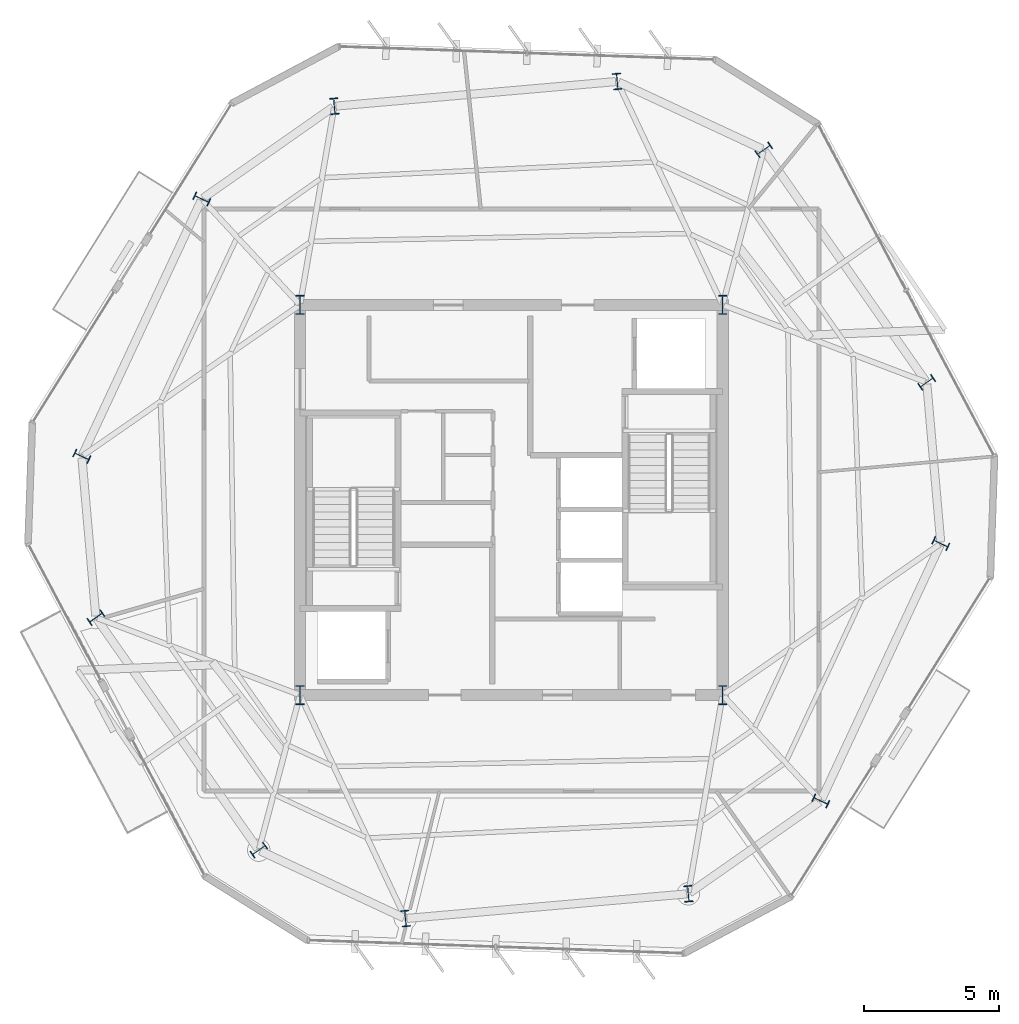
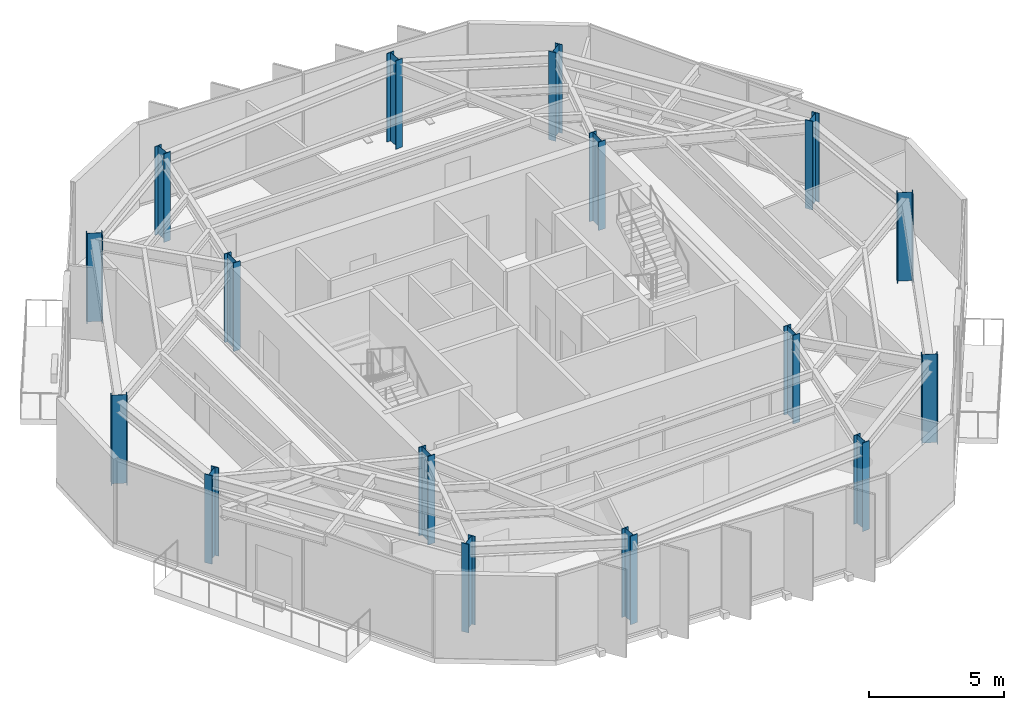
# One storey, part 1 of 12: 16 columns.
"""IFC4 building model written with IfcOpenShell, lengths in metres."""

from ifc_helpers import new_model, si_unit, direction, frame, origin, origin_2d, place, context, subcontext, project, spatial, i_section, extrude, material, material_profile, profile_set, type_object, element, save


model = new_model("IFC4")

# Units and contexts
model_context = context("Model", 3, precision=1e-05, world=origin(), true_north=direction((0.0, 1.0)))
body_context = subcontext(model_context, "Body", "Model", "MODEL_VIEW")
ifc_project = project(units=[si_unit("LENGTHUNIT", "METRE"), si_unit("AREAUNIT", "SQUARE_METRE"), si_unit("VOLUMEUNIT", "CUBIC_METRE"), si_unit("PLANEANGLEUNIT", "RADIAN"), si_unit("MASSUNIT", "GRAM", prefix="KILO")], contexts=[model_context])

# Site, building, storey
site_placement = place(None, origin())
site = spatial("IfcSite", under=ifc_project, at=site_placement, CompositionType="ELEMENT")
building_placement = place(site_placement, origin())
building = spatial("IfcBuilding", under=site, at=building_placement, Name="Kranzbogen Civic Tower", CompositionType="ELEMENT")
storey_placement = place(building_placement, frame((0.0, 0.0, 258.199951171875)))
storey = spatial("IfcBuildingStorey", under=building, at=storey_placement, Name="L62", CompositionType="ELEMENT", Elevation=258.199951171875)

# Columns
ifc_material = material(Name="Steel S355", Category="steel")
ifc_material_profile_1 = material_profile(ifc_material, i_section(OverallWidth=0.300048828125, OverallDepth=0.60009765625, WebThickness=0.015380859375, FlangeThickness=0.030029296875, at=origin_2d()), Name="HEB 600")
ifc_profile_set_1 = profile_set([ifc_material_profile_1], Name="Steel S355")
column_type_1 = type_object("IfcColumnType", Name="Structural Column HEB 600", PredefinedType="COLUMN", material=ifc_profile_set_1)
for number, where, z_axis, x_axis, name in (
    (1, (28.908935546875, 40.449951171875, 0.0), (0.0, 0.0, 1.0), (0.996194698092, 0.087155742748, 0.0), "L62 tower perimeter tube column 01"),
    (2, (18.467041015625, 39.535888671875, 0.0), (0.0, 0.0, 1.0), (0.996194698092, 0.087155742748, 0.0), "L62 tower perimeter tube column 02"),
    (3, (13.574951171875, 36.110107421875, 0.0), (0.0, 0.0, 1.0), (0.422618261741, 0.906307787037, 0.0), "L62 tower perimeter tube column 03"),
    (4, (9.14501953125, 26.610107421875, 0.0), (0.0, 0.0, 1.0), (0.422618261741, 0.906307787037, 0.0), "L62 tower perimeter tube column 04"),
    (5, (9.666015625, 20.660888671875, 0.0), (0.0, 0.0, 1.0), (-0.573576436351, 0.819152044289, 0.0), "L62 tower perimeter tube column 05"),
    (6, (15.677978515625, 12.073974609375, 0.0), (0.0, 0.0, 1.0), (-0.573576436351, 0.819152044289, 0.0), "L62 tower perimeter tube column 06"),
    (7, (21.091064453125, 9.550048828125, 0.0), (0.0, 0.0, 1.0), (0.996194698092, 0.087155742748, 0.0), "L62 tower perimeter tube column 07"),
    (8, (31.532958984375, 10.464111328125, 0.0), (0.0, 0.0, 1.0), (0.996194698092, 0.087155742748, 0.0), "L62 tower perimeter tube column 08"),
    (9, (36.425048828125, 13.889892578125, 0.0), (0.0, 0.0, 1.0), (0.422618261741, 0.906307787037, 0.0), "L62 tower perimeter tube column 09"),
    (10, (40.85498046875, 23.389892578125, 0.0), (0.0, 0.0, 1.0), (0.422618261741, 0.906307787037, 0.0), "L62 tower perimeter tube column 10"),
    (11, (40.333984375, 29.339111328125, 0.0), (0.0, 0.0, 1.0), (-0.573576436351, 0.819152044289, 0.0), "L62 tower perimeter tube column 11"),
    (12, (34.322021484375, 37.926025390625, 0.0), (0.0, 0.0, 1.0), (-0.573576436351, 0.819152044289, 0.0), "L62 tower perimeter tube column 12"),
):
    element("IfcColumn", number, at=place(storey_placement, frame(where, z_axis=z_axis, x_axis=x_axis)), inside=storey, type_object=column_type_1, Name=name, PredefinedType="COLUMN", context=body_context, shape_type="SweptSolid", body=[
        extrude(i_section(OverallWidth=0.300048828125, OverallDepth=0.60009765625, WebThickness=0.015380859375, FlangeThickness=0.030029296875, at=origin_2d()), origin(), (0.0, 0.0, 1.0), 4.0),
    ])
ifc_material_profile_2 = material_profile(ifc_material, i_section(OverallWidth=0.300048828125, OverallDepth=0.699951171875, WebThickness=0.01708984375, FlangeThickness=0.031982421875, at=origin_2d()), Name="HEB 700")
ifc_profile_set_2 = profile_set([ifc_material_profile_2], Name="Steel S355")
column_type_2 = type_object("IfcColumnType", Name="Structural Column HEB 700", PredefinedType="COLUMN", material=ifc_profile_set_2)
for number, where, z_axis, x_axis, name in (
    (13, (17.199951171875, 17.800048828125, 0.0), (0.0, 0.0, 1.0), (1.0, 0.0, 0.0), "L62 composite core corner column 1"),
    (14, (32.800048828125, 17.800048828125, 0.0), (0.0, 0.0, 1.0), (1.0, 0.0, 0.0), "L62 composite core corner column 2"),
    (15, (32.800048828125, 32.199951171875, 0.0), (0.0, 0.0, 1.0), (1.0, 0.0, 0.0), "L62 composite core corner column 3"),
    (16, (17.199951171875, 32.199951171875, 0.0), (0.0, 0.0, 1.0), (1.0, 0.0, 0.0), "L62 composite core corner column 4"),
):
    element("IfcColumn", number, at=place(storey_placement, frame(where, z_axis=z_axis, x_axis=x_axis)), inside=storey, type_object=column_type_2, Name=name, PredefinedType="COLUMN", context=body_context, shape_type="SweptSolid", body=[
        extrude(i_section(OverallWidth=0.300048828125, OverallDepth=0.699951171875, WebThickness=0.01708984375, FlangeThickness=0.031982421875, at=origin_2d()), origin(), (0.0, 0.0, 1.0), 4.0),
    ])

save(model, "model.ifc")
